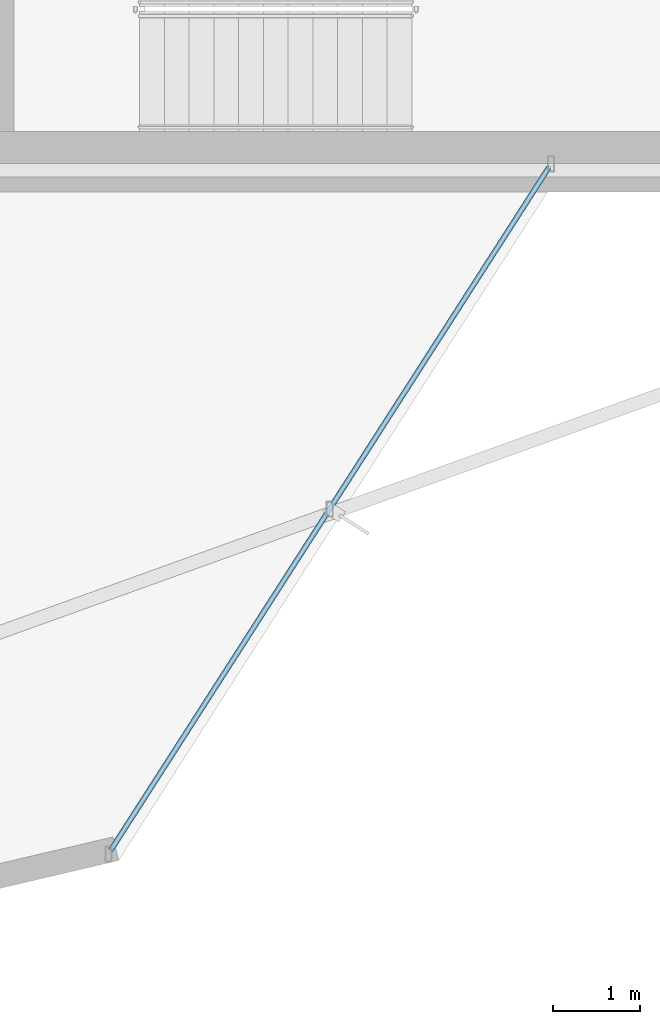
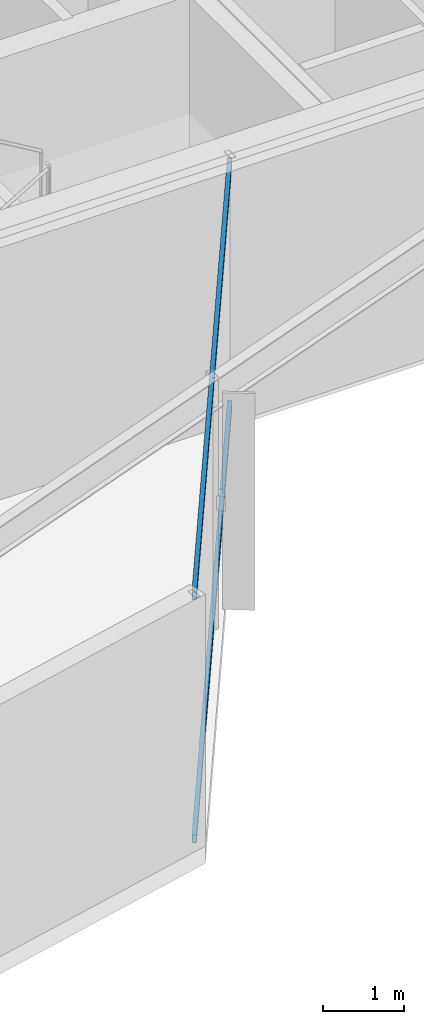
# One storey, part 7 of 23: 2 members, 1 element without a shape of its own.
"""IFC4 building model written with IfcOpenShell, lengths in metres."""

from ifc_helpers import new_model, si_unit, direction, frame, origin, origin_2d, place, context, subcontext, project, spatial, hollow_rectangle, extrude, material, layer, layer_set, material_profile, profile_set, type_object, element, aggregate, save


model = new_model("IFC4")

# Units and contexts
model_context = context("Model", 3, precision=1e-05, world=origin(), true_north=direction((0.0, 1.0)))
body_context = subcontext(model_context, "Body", "Model", "MODEL_VIEW")
ifc_project = project(units=[si_unit("LENGTHUNIT", "METRE"), si_unit("AREAUNIT", "SQUARE_METRE"), si_unit("VOLUMEUNIT", "CUBIC_METRE"), si_unit("PLANEANGLEUNIT", "RADIAN"), si_unit("MASSUNIT", "GRAM", prefix="KILO")], contexts=[model_context])

# Site, building, storey
site_placement = place(None, origin())
site = spatial("IfcSite", under=ifc_project, at=site_placement, CompositionType="ELEMENT")
building_placement = place(site_placement, origin())
building = spatial("IfcBuilding", under=site, at=building_placement, Name="Veymaron Broadcast Tower", CompositionType="ELEMENT")
storey_placement = place(building_placement, frame((0.0, 0.0, 195.89990234375)))
storey = spatial("IfcBuildingStorey", under=building, at=storey_placement, Name="L45", CompositionType="ELEMENT", Elevation=195.89990234375)

# Curtain wall, members
ifc_material_1 = material(Name="Anodised aluminium AA 6063-T6 and laminated low-E dark glass", Category="aluminium")
ifc_layer = layer(ifc_material_1, 0.179931640625)
ifc_layer_set = layer_set([ifc_layer], Name="Anodised aluminium AA 6063-T6 and laminated low-E dark glass")
curtain_wall_type = type_object("IfcCurtainWallType", Name="CW-SYS-05", PredefinedType="NOTDEFINED", material=ifc_layer_set)
curtain_wall_placement = place(storey_placement, origin())
curtain_wall = element("IfcCurtainWall", 1, at=curtain_wall_placement, inside=storey, type_object=curtain_wall_type, Name="L45 dark-glass curtain wall CW-L45-E20-1", PredefinedType="NOTDEFINED")
ifc_material_2 = material(Name="Anodised aluminium AA 6063-T6", Category="aluminium")
ifc_material_profile = material_profile(ifc_material_2, hollow_rectangle(XDim=0.06005859375, YDim=0.1201171875, WallThickness=0.00390625, at=origin_2d()), Name="AL120X60X4")
ifc_profile_set = profile_set([ifc_material_profile], Name="Anodised aluminium AA 6063-T6")
member_type = type_object("IfcMemberType", Name="CW-TRN-02", PredefinedType="USERDEFINED", material=ifc_profile_set)
member_1_placement = place(storey_placement, frame((41.095947265625, 8.167724609375, 0.070068359375), z_axis=(0.539970408513, 0.841684001232, 0.0), x_axis=(-0.841684001232, 0.539970408513, 0.0)))
member_1 = element("IfcMember", 2, at=member_1_placement, type_object=member_type, Name="CW-L45-E20-1 transom B", ObjectType="TRANSOM", PredefinedType="USERDEFINED", context=body_context, shape_type="SweptSolid", body=[
    extrude(hollow_rectangle(XDim=0.06005859375, YDim=0.1201171875, WallThickness=0.00390625, at=origin_2d()), origin(), (0.0, 0.0, 1.0), 9.34521484375),
])
member_2_placement = place(storey_placement, frame((41.095947265625, 8.167724609375, 3.72021484375), z_axis=(0.539970408513, 0.841684001232, 0.0), x_axis=(-0.841684001232, 0.539970408513, 0.0)))
member_2 = element("IfcMember", 3, at=member_2_placement, type_object=member_type, Name="CW-L45-E20-1 transom T", ObjectType="TRANSOM", PredefinedType="USERDEFINED", context=body_context, shape_type="SweptSolid", body=[
    extrude(hollow_rectangle(XDim=0.06005859375, YDim=0.1201171875, WallThickness=0.00390625, at=origin_2d()), origin(), (0.0, 0.0, 1.0), 9.34521484375),
])
aggregate(curtain_wall, [member_1, member_2])

save(model, "model.ifc")
